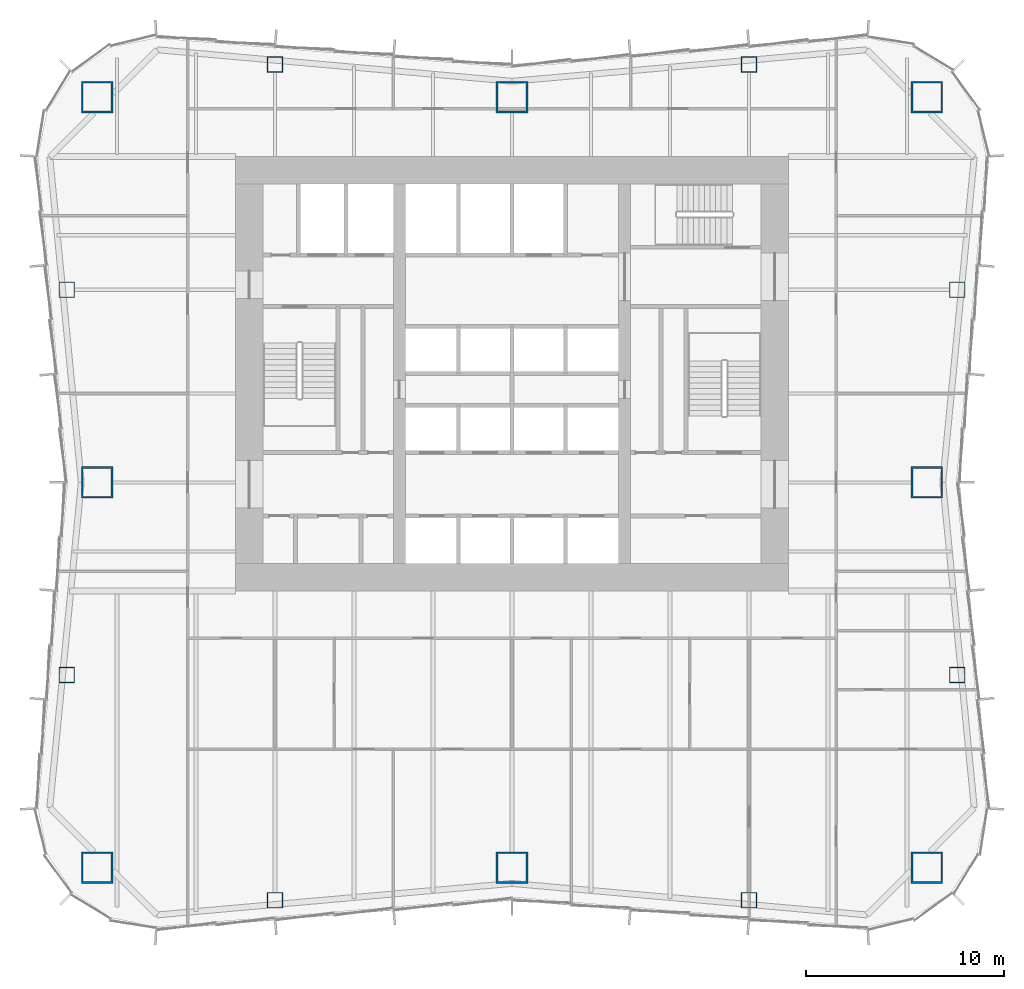
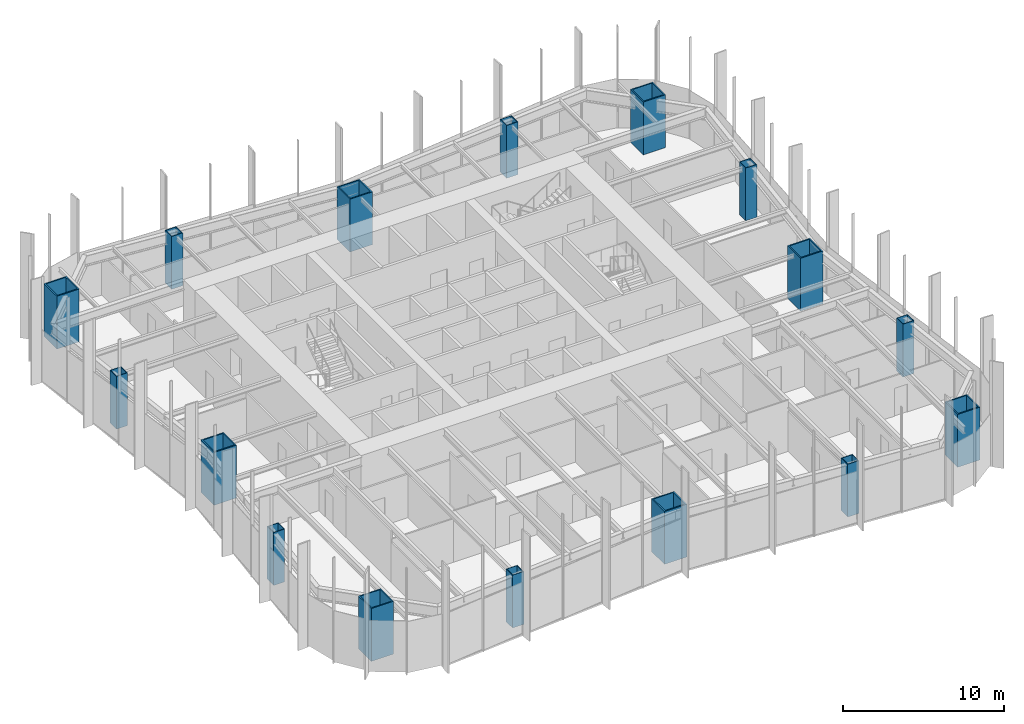
# One storey, part 1 of 13: 16 columns.
"""IFC4 building model written with IfcOpenShell, lengths in metres."""

import ifcopenshell
import ifcopenshell.guid

model = None  # the IFC model being written
_history = None  # IfcOwnerHistory: only IFC2X3 demands one
_inside = {}  # id of a spatial element -> (the spatial element, [elements in it])
_under = {}  # id of a project, library or spatial element -> (it, [spatial elements below it])
_declared = {}  # id of a project -> (the project, [libraries it declares])
_typed = {}  # id of a type object -> (the type object, [elements of that type])
_made_of = {}  # id of a material, layer set ... -> (it, [elements and type objects made of it])


def new_model(schema):
    """Start an empty IFC model of exactly this schema.

    Asked for "IFC4X3", IfcOpenShell would pick the latest addendum, in which some entities
    have other attributes; the version numbers below select the first issue.
    IFC2X3 requires an IfcOwnerHistory on every rooted entity: one is made here for all.
    """
    global model, _history
    if schema == "IFC4X3":
        model = ifcopenshell.file(schema_version=(4, 3, 0, 0))
    else:
        model = ifcopenshell.file(schema=schema)
    _inside.clear()
    _under.clear()
    _declared.clear()
    _typed.clear()
    _made_of.clear()
    _history = None
    if model.schema == "IFC2X3":
        org = make("IfcOrganization", Name="unknown")
        user = make(
            "IfcPersonAndOrganization",
            ThePerson=make("IfcPerson", FamilyName="unknown"),
            TheOrganization=org,
        )
        app = make(
            "IfcApplication",
            ApplicationDeveloper=org,
            Version="unknown",
            ApplicationFullName="unknown",
            ApplicationIdentifier="unknown",
        )
        _history = make(
            "IfcOwnerHistory",
            OwningUser=user,
            OwningApplication=app,
            ChangeAction="ADDED",
            CreationDate=0,
        )
    return model


def make(cls, **values):
    """One entity of the class cls with the attributes given. An attribute that is None is left unset."""
    return model.create_entity(
        cls, **{name: value for name, value in values.items() if value is not None}
    )


def rooted(cls, **values):
    """An entity with a GlobalId (a new one), such as an element, a storey or a relation."""
    return make(cls, GlobalId=ifcopenshell.guid.new(), OwnerHistory=_history, **values)


def si_unit(unit_type, name, prefix=None):
    """IfcSIUnit, for example si_unit("LENGTHUNIT", "METRE", prefix="MILLI")."""
    return make("IfcSIUnit", UnitType=unit_type, Prefix=prefix, Name=name)


def assignment(units):
    """IfcUnitAssignment: the units of a project."""
    return None if units is None else make("IfcUnitAssignment", Units=units)


def point(xyz):
    """IfcCartesianPoint."""
    return None if xyz is None else make("IfcCartesianPoint", Coordinates=xyz)


def direction(xyz):
    """IfcDirection."""
    return None if xyz is None else make("IfcDirection", DirectionRatios=xyz)


def frame(location, z_axis=None, x_axis=None):
    """IfcAxis2Placement3D, a coordinate frame: its origin and axes. An axis left out is left unset."""
    return make(
        "IfcAxis2Placement3D",
        Location=point(location),
        Axis=direction(z_axis),
        RefDirection=direction(x_axis),
    )


def frame_2d(location, x_axis=None):
    """IfcAxis2Placement2D, a coordinate frame in the plane: its origin and x axis."""
    return make(
        "IfcAxis2Placement2D", Location=point(location), RefDirection=direction(x_axis)
    )


def origin():
    """The frame at (0, 0, 0) with its axes left unset."""
    return frame((0.0, 0.0, 0.0))


def origin_2d():
    """The frame at (0, 0) in the plane with its x axis left unset."""
    return frame_2d((0.0, 0.0))


def place(relative_to, where):
    """IfcLocalPlacement: puts the frame where relative to a parent placement (None: the world)."""
    return make(
        "IfcLocalPlacement", PlacementRelTo=relative_to, RelativePlacement=where
    )


def context(
    kind, dimensions, precision=None, world=None, true_north=None, identifier=None
):
    """IfcGeometricRepresentationContext, for example the 3D "Model" context."""
    return make(
        "IfcGeometricRepresentationContext",
        ContextIdentifier=identifier,
        ContextType=kind,
        CoordinateSpaceDimension=dimensions,
        Precision=precision,
        WorldCoordinateSystem=world,
        TrueNorth=true_north,
    )


def subcontext(parent, identifier, kind, view, scale=None):
    """IfcGeometricRepresentationSubContext, for example "Body" below "Model"."""
    return make(
        "IfcGeometricRepresentationSubContext",
        ContextIdentifier=identifier,
        ContextType=kind,
        ParentContext=parent,
        TargetScale=scale,
        TargetView=view,
    )


def project(units=None, contexts=None):
    """IfcProject with its units and contexts."""
    return rooted(
        "IfcProject",
        Name="project",
        RepresentationContexts=contexts,
        UnitsInContext=assignment(units),
    )


def spatial(cls, under=None, at=None, **own):
    """A site, building, storey or space (cls), placed at a placement, below another one or the project."""
    s = rooted(cls, ObjectPlacement=at, **own)
    if under is not None:
        _under.setdefault(under.id(), (under, []))[1].append(s)
    return s


def profile(cls, at=None, kind="AREA", **sizes):
    """A parametric profile (cls). Its sizes go by their IFC names, for example OverallWidth=200.0."""
    return make(cls, ProfileType=kind, Position=at, **sizes)


def hollow_rectangle(**sizes):
    """IfcRectangleHollowProfileDef."""
    return profile("IfcRectangleHollowProfileDef", **sizes)


def extrude(swept, where, along, depth):
    """IfcExtrudedAreaSolid: the profile swept, set in the frame where, extruded along a direction by depth."""
    return make(
        "IfcExtrudedAreaSolid",
        SweptArea=swept,
        Position=where,
        ExtrudedDirection=direction(along),
        Depth=depth,
    )


def shape(context_of_items, identifier, shape_type, items):
    """IfcShapeRepresentation: the items that make up one representation, for example the "Body"."""
    return make(
        "IfcShapeRepresentation",
        ContextOfItems=context_of_items,
        RepresentationIdentifier=identifier,
        RepresentationType=shape_type,
        Items=items,
    )


def material(Name=None, Category=None):
    """IfcMaterial."""
    return make("IfcMaterial", Name=Name, Category=Category)


def material_profile(
    of_material, cross_section, Name=None, Category=None, Priority=None
):
    """IfcMaterialProfile: a cross section and its material."""
    return make(
        "IfcMaterialProfile",
        Name=Name,
        Material=of_material,
        Profile=cross_section,
        Priority=Priority,
        Category=Category,
    )


def profile_set(profiles, Name=None, composite=None):
    """IfcMaterialProfileSet."""
    return make(
        "IfcMaterialProfileSet",
        Name=Name,
        MaterialProfiles=profiles,
        CompositeProfile=composite,
    )


def made_of(thing, what):
    """Note that an element or type object is made of a material, layer set ...; save() writes the relation."""
    if what is not None:
        _made_of.setdefault(what.id(), (what, []))[1].append(thing)
    return thing


def type_object(cls, material=None, **own):
    """A type object (cls), such as IfcWallType, which elements share."""
    return made_of(rooted(cls, **own), material)


def element(
    cls,
    number,
    at=None,
    inside=None,
    cuts=None,
    type_object=None,
    material=None,
    context=None,
    identifier="Body",
    shape_type=None,
    held_by="IfcProductDefinitionShape",
    body=None,
    shapes=None,
    **own,
):
    """One element of the class cls, such as IfcWall. Its Tag is "e" and its number.

    at: its placement. inside: the storey or other place that contains it. cuts: it is an
    opening in that element (IfcRelVoidsElement). A single representation is given by context,
    identifier, shape_type and body (its items); several are given by shapes. held_by: the class
    of the entity that holds the representations. save() writes the other relations.
    """
    e = rooted(cls, Tag="e%d" % number, ObjectPlacement=at, **own)
    if body is not None:
        shapes = [shape(context, identifier, shape_type, body)]
    if shapes is not None:
        e.Representation = make(held_by, Representations=shapes)
    if inside is not None:
        _inside.setdefault(inside.id(), (inside, []))[1].append(e)
    if cuts is not None:
        rooted(
            "IfcRelVoidsElement", RelatingBuildingElement=cuts, RelatedOpeningElement=e
        )
    if type_object is not None:
        _typed.setdefault(type_object.id(), (type_object, []))[1].append(e)
    return made_of(e, material)


def aggregate(whole, parts):
    """IfcRelAggregates: a whole, such as a stair, and the parts it consists of."""
    return rooted("IfcRelAggregates", RelatingObject=whole, RelatedObjects=parts)


def save(model, path):
    """Write the relations noted so far, then the file.

    IfcRelAggregates (storeys below a building ...), IfcRelContainedInSpatialStructure (elements
    in a storey), IfcRelDefinesByType, IfcRelAssociatesMaterial and IfcRelDeclares: one each for
    every whole, place, type object, material and project.
    """
    for whole, parts in _under.values():
        aggregate(whole, parts)
    for where, things in _inside.values():
        rooted(
            "IfcRelContainedInSpatialStructure",
            RelatedElements=things,
            RelatingStructure=where,
        )
    for kind, things in _typed.values():
        rooted("IfcRelDefinesByType", RelatedObjects=things, RelatingType=kind)
    for what, things in _made_of.values():
        rooted("IfcRelAssociatesMaterial", RelatedObjects=things, RelatingMaterial=what)
    for by, libraries in _declared.values():
        rooted("IfcRelDeclares", RelatingContext=by, RelatedDefinitions=libraries)
    model.write(path)


model = new_model("IFC4")

# Units and contexts
model_context = context("Model", 3, precision=1e-05, world=origin(), true_north=direction((0.0, 1.0)))
body_context = subcontext(model_context, "Body", "Model", "MODEL_VIEW")
ifc_project = project(units=[si_unit("LENGTHUNIT", "METRE"), si_unit("AREAUNIT", "SQUARE_METRE"), si_unit("VOLUMEUNIT", "CUBIC_METRE"), si_unit("PLANEANGLEUNIT", "RADIAN"), si_unit("MASSUNIT", "GRAM", prefix="KILO")], contexts=[model_context])

# Site, building, storey
site_placement = place(None, origin())
site = spatial("IfcSite", under=ifc_project, at=site_placement, CompositionType="ELEMENT")
building_placement = place(site_placement, origin())
building = spatial("IfcBuilding", under=site, at=building_placement, Name="Verdant Reach Tower", CompositionType="ELEMENT")
storey_placement = place(building_placement, frame((0.0, 0.0, 50.0)))
storey = spatial("IfcBuildingStorey", under=building, at=storey_placement, Name="L11", CompositionType="ELEMENT", Elevation=50.0)

# Columns
ifc_material = material(Name="Steel S460", Category="steel")
ifc_material_profile_1 = material_profile(ifc_material, hollow_rectangle(XDim=1.60009765625, YDim=1.60009765625, WallThickness=0.090087890625, at=origin_2d()), Name="WB 1600x1600x90")
ifc_profile_set_1 = profile_set([ifc_material_profile_1], Name="Steel S460")
column_type_1 = type_object("IfcColumnType", Name="ST-COL-WB1600x1600x90", PredefinedType="COLUMN", material=ifc_profile_set_1)
for number, where, z_axis, x_axis, name in (
    (1, (-21.0, 42.0, 0.0), (0.0, 0.0, 1.0), (1.0, 0.0, 0.0), "Mega column north-west, L11"),
    (2, (0.0, 42.0, 0.0), (0.0, 0.0, 1.0), (1.0, 0.0, 0.0), "Mega column north, L11"),
    (3, (21.0, 42.0, 0.0), (0.0, 0.0, 1.0), (1.0, 0.0, 0.0), "Mega column north-east, L11"),
    (4, (21.0, 22.5, 0.0), (0.0, 0.0, 1.0), (1.0, 0.0, 0.0), "Mega column east, L11"),
    (5, (21.0, 3.0, 0.0), (0.0, 0.0, 1.0), (1.0, 0.0, 0.0), "Mega column south-east, L11"),
    (6, (0.0, 3.0, 0.0), (0.0, 0.0, 1.0), (1.0, 0.0, 0.0), "Mega column south, L11"),
    (7, (-21.0, 3.0, 0.0), (0.0, 0.0, 1.0), (1.0, 0.0, 0.0), "Mega column south-west, L11"),
    (8, (-21.0, 22.5, 0.0), (0.0, 0.0, 1.0), (1.0, 0.0, 0.0), "Mega column west, L11"),
):
    element("IfcColumn", number, at=place(storey_placement, frame(where, z_axis=z_axis, x_axis=x_axis)), inside=storey, type_object=column_type_1, Name=name, PredefinedType="COLUMN", context=body_context, shape_type="SweptSolid", body=[
        extrude(hollow_rectangle(XDim=1.60009765625, YDim=1.60009765625, WallThickness=0.090087890625, at=origin_2d()), origin(), (0.0, 0.0, 1.0), 4.0),
    ])
ifc_material_profile_2 = material_profile(ifc_material, hollow_rectangle(XDim=0.800048828125, YDim=0.800048828125, WallThickness=0.0400390625, at=origin_2d()), Name="WB 800x800x40")
ifc_profile_set_2 = profile_set([ifc_material_profile_2], Name="Steel S460")
column_type_2 = type_object("IfcColumnType", Name="ST-COL-WB800x800x40", PredefinedType="COLUMN", material=ifc_profile_set_2)
for number, where, z_axis, x_axis, name in (
    (9, (-12.0, 43.64990234375, 0.0), (0.0, 0.0, 1.0), (1.0, 0.0, 0.0), "Perimeter column north 1, L11"),
    (10, (12.0, 43.64990234375, 0.0), (0.0, 0.0, 1.0), (1.0, 0.0, 0.0), "Perimeter column north 2, L11"),
    (11, (-12.0, 1.35009765625, 0.0), (0.0, 0.0, 1.0), (1.0, 0.0, 0.0), "Perimeter column south 1, L11"),
    (12, (12.0, 1.35009765625, 0.0), (0.0, 0.0, 1.0), (1.0, 0.0, 0.0), "Perimeter column south 2, L11"),
    (13, (22.536376953125, 12.75, 0.0), (0.0, 0.0, 1.0), (1.0, 0.0, 0.0), "Perimeter column east 1, L11"),
    (14, (22.536376953125, 32.25, 0.0), (0.0, 0.0, 1.0), (1.0, 0.0, 0.0), "Perimeter column east 2, L11"),
    (15, (-22.536376953125, 12.75, 0.0), (0.0, 0.0, 1.0), (1.0, 0.0, 0.0), "Perimeter column west 1, L11"),
    (16, (-22.536376953125, 32.25, 0.0), (0.0, 0.0, 1.0), (1.0, 0.0, 0.0), "Perimeter column west 2, L11"),
):
    element("IfcColumn", number, at=place(storey_placement, frame(where, z_axis=z_axis, x_axis=x_axis)), inside=storey, type_object=column_type_2, Name=name, PredefinedType="COLUMN", context=body_context, shape_type="SweptSolid", body=[
        extrude(hollow_rectangle(XDim=0.800048828125, YDim=0.800048828125, WallThickness=0.0400390625, at=origin_2d()), origin(), (0.0, 0.0, 1.0), 4.0),
    ])

save(model, "model.ifc")
